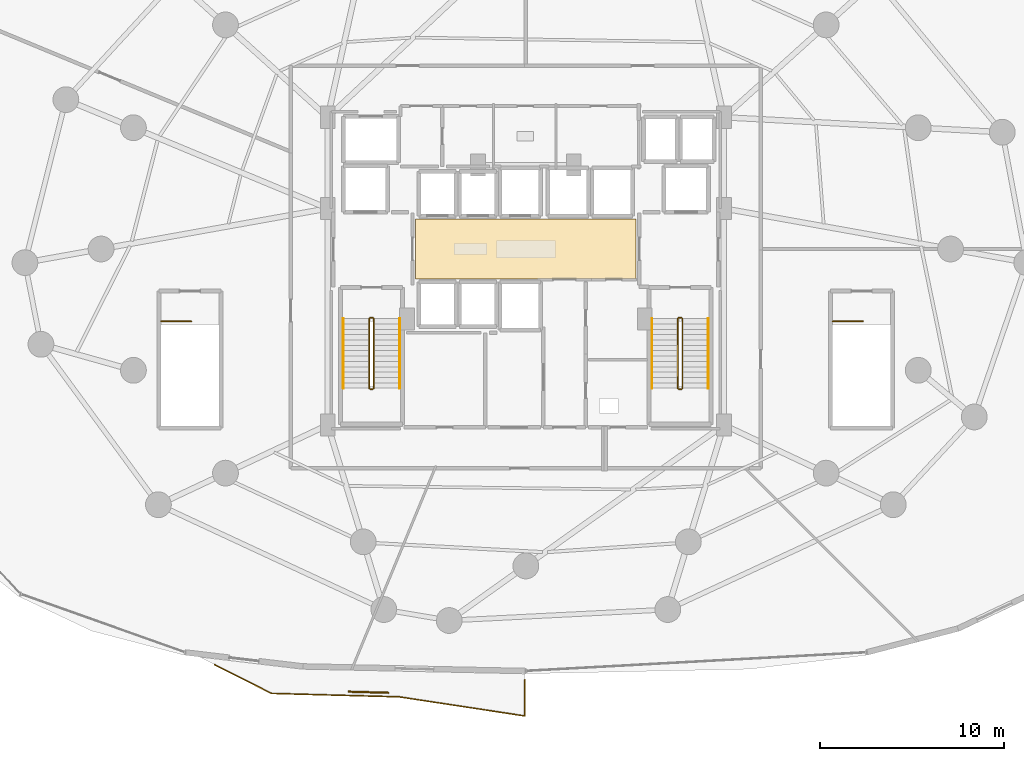
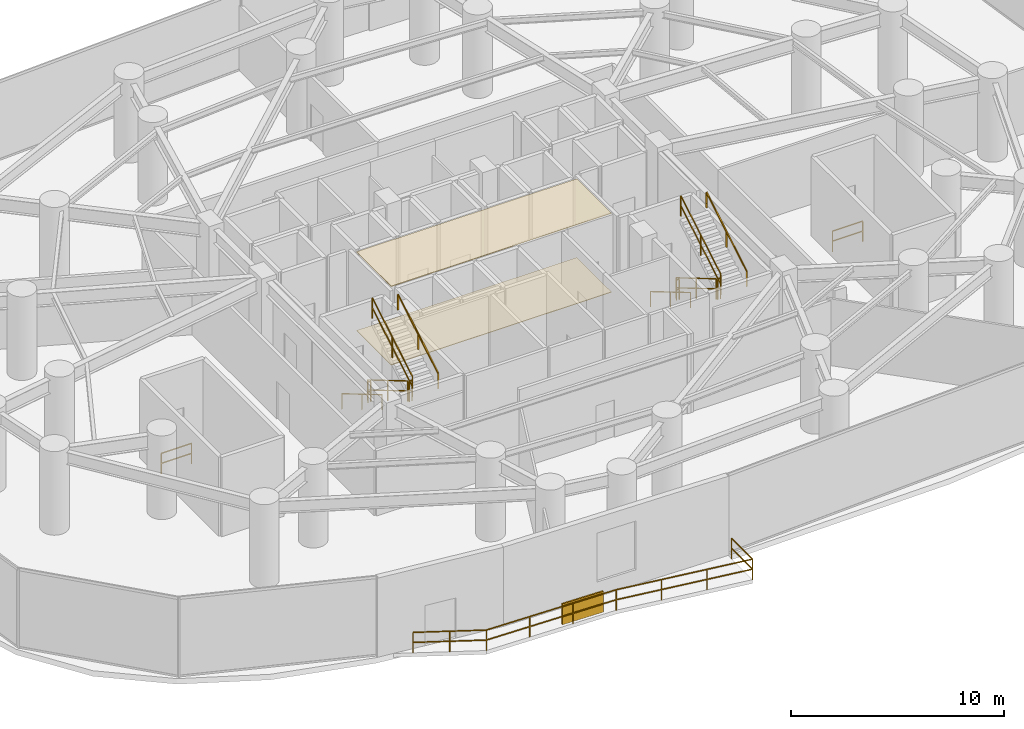
# One storey, part 30 of 32: 16 railings, 2 coverings, 1 shading device.
"""IFC4 building model written with IfcOpenShell, lengths in metres."""

from ifc_helpers import new_model, si_unit, direction, frame, origin, origin_2d, place, context, subcontext, project, spatial, polyline, rectangle, outline, extrude, material, layer, layer_set, type_object, element, save


model = new_model("IFC4")

# Units and contexts
model_context = context("Model", 3, precision=1e-05, world=origin(), true_north=direction((0.0, 1.0)))
body_context = subcontext(model_context, "Body", "Model", "MODEL_VIEW")
ifc_project = project(units=[si_unit("LENGTHUNIT", "METRE"), si_unit("AREAUNIT", "SQUARE_METRE"), si_unit("VOLUMEUNIT", "CUBIC_METRE"), si_unit("PLANEANGLEUNIT", "RADIAN"), si_unit("MASSUNIT", "GRAM", prefix="KILO")], contexts=[model_context])

# Site, building, storey
site_placement = place(None, origin())
site = spatial("IfcSite", under=ifc_project, at=site_placement, CompositionType="ELEMENT")
building_placement = place(site_placement, origin())
building = spatial("IfcBuilding", under=site, at=building_placement, Name="Vorneva Point Tower", CompositionType="ELEMENT")
storey_placement = place(building_placement, frame((0.0, 0.0, 19.199951171875)))
storey = spatial("IfcBuildingStorey", under=building, at=storey_placement, Name="L04", CompositionType="ELEMENT", Elevation=19.199951171875)

# Coverings
ifc_material_1 = material(Name="Perforated acoustic aluminium baffle ceiling", Category="aluminium")
ifc_layer_1 = layer(ifc_material_1, 0.030029296875)
ifc_layer_set_1 = layer_set([ifc_layer_1], Name="Perforated acoustic aluminium baffle ceiling")
covering_type_1 = type_object("IfcCoveringType", Name="COV-CEIL-BAF", PredefinedType="CEILING", material=ifc_layer_set_1)
covering_1_placement = place(storey_placement, frame((0.0, 0.0, 4.510009765625)))
element("IfcCovering", 1, at=covering_1_placement, inside=storey, type_object=covering_type_1, Name="L04 Lift Lobby Acoustic Baffle Ceiling", PredefinedType="CEILING", context=body_context, shape_type="SweptSolid", body=[
    extrude(outline(polyline([(32.02001953125, 24.3701171875), (43.97998046875, 24.3701171875), (43.97998046875, 27.6298828125), (32.02001953125, 27.6298828125), (32.02001953125, 24.3701171875)])), origin(), (0.0, 0.0, 1.0), 0.03515625),
])
ifc_material_2 = material(Name="Polished Ural granite terrazzo", Category="masonry")
ifc_layer_2 = layer(ifc_material_2, 0.02490234375)
ifc_layer_set_2 = layer_set([ifc_layer_2], Name="Polished Ural granite terrazzo")
covering_type_2 = type_object("IfcCoveringType", Name="COV-FLR-TRZ", PredefinedType="FLOORING", material=ifc_layer_set_2)
covering_2_placement = place(storey_placement, frame((0.0, 0.0, -0.0048828125)))
element("IfcCovering", 2, at=covering_2_placement, inside=storey, type_object=covering_type_2, Name="L04 Lift Lobby Floor Finish", PredefinedType="FLOORING", context=body_context, shape_type="SweptSolid", body=[
    extrude(outline(polyline([(32.02001953125, 24.3701171875), (43.97998046875, 24.3701171875), (43.97998046875, 27.6298828125), (32.02001953125, 27.6298828125), (32.02001953125, 24.3701171875)])), origin(), (0.0, 0.0, 1.0), 0.030029296875),
])

# Railings
ifc_material_3 = material(Name="Pale anodised aluminium", Category="aluminium")
railing_type_1 = type_object("IfcRailingType", Name="RL-BAL-1200", PredefinedType="BALUSTRADE", material=ifc_material_3)
railing_1_placement = place(storey_placement, frame((37.949951171875, 0.65771484375, 0.0)))
element("IfcRailing", 3, at=railing_1_placement, inside=storey, type_object=railing_type_1, Name="L04 Wave Balcony Balustrade SW.1", PredefinedType="BALUSTRADE", context=body_context, shape_type="SweptSolid", body=[
    extrude(rectangle(XDim=0.048095703125, YDim=0.048095703125, at=origin_2d()), frame((0.0, 0.0, 1.17578125), z_axis=(0.0, 1.0, 0.0), x_axis=(-1.0, 0.0, 0.0)), (0.0, 0.0, 1.0), 1.974365234375),
    extrude(rectangle(XDim=0.048095703125, YDim=0.048095703125, at=origin_2d()), frame((0.0, 0.0, 0.60009765625), z_axis=(0.0, 1.0, 0.0), x_axis=(-1.0, 0.0, 0.0)), (0.0, 0.0, 1.0), 1.974365234375),
    extrude(rectangle(XDim=0.0419921875, YDim=0.0419921875, at=origin_2d()), origin(), (0.0, 0.0, 1.0), 1.15185546875),
    extrude(rectangle(XDim=0.0419921875, YDim=0.0419921875, at=origin_2d()), frame((0.0, 1.974365234375, 0.0)), (0.0, 0.0, 1.0), 1.15185546875),
])
railing_2_placement = place(storey_placement, frame((21.115478515625, 3.44384765625, 0.0)))
element("IfcRailing", 4, at=railing_2_placement, inside=storey, type_object=railing_type_1, Name="L04 Wave Balcony Balustrade SW.2", PredefinedType="BALUSTRADE", context=body_context, shape_type="SweptSolid", body=[
    extrude(rectangle(XDim=0.048095703125, YDim=0.048095703125, at=origin_2d()), frame((0.0, 0.0, 1.17578125), z_axis=(0.892485857484, -0.451075375287, 0.0), x_axis=(0.451075375287, 0.892485857484, 0.0)), (0.0, 0.0, 1.0), 3.460693359375),
    extrude(rectangle(XDim=0.048095703125, YDim=0.048095703125, at=origin_2d()), frame((0.0, 0.0, 0.60009765625), z_axis=(0.892485857484, -0.451075375287, 0.0), x_axis=(0.451075375287, 0.892485857484, 0.0)), (0.0, 0.0, 1.0), 3.460693359375),
    extrude(rectangle(XDim=0.048095703125, YDim=0.048095703125, at=origin_2d()), frame((3.088623046875, -1.56103515625, 1.17578125), z_axis=(0.999630386072, -0.027186232573, 0.0), x_axis=(0.027186232573, 0.999630386072, 0.0)), (0.0, 0.0, 1.0), 6.94189453125),
    extrude(rectangle(XDim=0.048095703125, YDim=0.048095703125, at=origin_2d()), frame((3.088623046875, -1.56103515625, 0.60009765625), z_axis=(0.999630386072, -0.027186232573, 0.0), x_axis=(0.027186232573, 0.999630386072, 0.0)), (0.0, 0.0, 1.0), 6.94189453125),
    extrude(rectangle(XDim=0.048095703125, YDim=0.048095703125, at=origin_2d()), frame((10.02783203125, -1.749755859375, 1.17578125), z_axis=(0.988606222463, -0.15052487139, 0.0), x_axis=(0.15052487139, 0.988606222463, 0.0)), (0.0, 0.0, 1.0), 6.885009765625),
    extrude(rectangle(XDim=0.048095703125, YDim=0.048095703125, at=origin_2d()), frame((10.02783203125, -1.749755859375, 0.60009765625), z_axis=(0.988606222463, -0.15052487139, 0.0), x_axis=(0.15052487139, 0.988606222463, 0.0)), (0.0, 0.0, 1.0), 6.885009765625),
    extrude(rectangle(XDim=0.0419921875, YDim=0.0419921875, at=origin_2d()), origin(), (0.0, 0.0, 1.0), 1.15185546875),
    extrude(rectangle(XDim=0.0419921875, YDim=0.0419921875, at=origin_2d()), frame((1.54443359375, -0.780517578125, 0.0)), (0.0, 0.0, 1.0), 1.15185546875),
    extrude(rectangle(XDim=0.0419921875, YDim=0.0419921875, at=origin_2d()), frame((3.088623046875, -1.56103515625, 0.0)), (0.0, 0.0, 1.0), 1.15185546875),
    extrude(rectangle(XDim=0.0419921875, YDim=0.0419921875, at=origin_2d()), frame((5.401611328125, -1.6240234375, 0.0)), (0.0, 0.0, 1.0), 1.15185546875),
    extrude(rectangle(XDim=0.0419921875, YDim=0.0419921875, at=origin_2d()), frame((7.71484375, -1.686767578125, 0.0)), (0.0, 0.0, 1.0), 1.15185546875),
    extrude(rectangle(XDim=0.0419921875, YDim=0.0419921875, at=origin_2d()), frame((10.02783203125, -1.749755859375, 0.0)), (0.0, 0.0, 1.0), 1.15185546875),
    extrude(rectangle(XDim=0.0419921875, YDim=0.0419921875, at=origin_2d()), frame((12.296630859375, -2.09521484375, 0.0)), (0.0, 0.0, 1.0), 1.15185546875),
    extrude(rectangle(XDim=0.0419921875, YDim=0.0419921875, at=origin_2d()), frame((14.565673828125, -2.440673828125, 0.0)), (0.0, 0.0, 1.0), 1.15185546875),
    extrude(rectangle(XDim=0.0419921875, YDim=0.0419921875, at=origin_2d()), frame((16.83447265625, -2.7861328125, 0.0)), (0.0, 0.0, 1.0), 1.15185546875),
])
ifc_material_4 = material(Name="Brushed stainless steel S304", Category="steel")
railing_type_2 = type_object("IfcRailingType", Name="RL-HND-920", PredefinedType="HANDRAIL", material=ifc_material_4)
railing_3_placement = place(storey_placement, frame((28.10009765625, 22.219970703125, 0.17138671875)))
element("IfcRailing", 5, at=railing_3_placement, inside=storey, type_object=railing_type_2, Name="L04 ST1 stair handrail 1", PredefinedType="HANDRAIL", context=body_context, shape_type="SweptSolid", body=[
    extrude(rectangle(XDim=0.048095703125, YDim=0.048095703125, at=origin_2d()), frame((0.0, 0.0, 0.8759765625), z_axis=(0.0, -0.860824410104, 0.508902087802), x_axis=(1.0, 0.0, 0.0)), (0.0, 0.0, 1.0), 4.379638671875),
    extrude(rectangle(XDim=0.0419921875, YDim=0.0419921875, at=origin_2d()), origin(), (0.0, 0.0, 1.0), 0.851806640625),
    extrude(rectangle(XDim=0.0419921875, YDim=0.0419921875, at=origin_2d()), frame((0.0, -1.885009765625, 1.1142578125)), (0.0, 0.0, 1.0), 0.851806640625),
    extrude(rectangle(XDim=0.0419921875, YDim=0.0419921875, at=origin_2d()), frame((0.0, -3.77001953125, 2.228759765625)), (0.0, 0.0, 1.0), 0.851806640625),
])
railing_4_placement = place(storey_placement, frame((31.14990234375, 18.449951171875, 2.571533203125)))
element("IfcRailing", 6, at=railing_4_placement, inside=storey, type_object=railing_type_2, Name="L04 ST1 stair handrail 2", PredefinedType="HANDRAIL", context=body_context, shape_type="SweptSolid", body=[
    extrude(rectangle(XDim=0.048095703125, YDim=0.048095703125, at=origin_2d()), frame((0.0, 0.0, 0.8759765625), z_axis=(0.0, 0.860848830602, 0.508860777473), x_axis=(-1.0, 0.0, 0.0)), (0.0, 0.0, 1.0), 4.37939453125),
    extrude(rectangle(XDim=0.0419921875, YDim=0.0419921875, at=origin_2d()), origin(), (0.0, 0.0, 1.0), 0.851806640625),
    extrude(rectangle(XDim=0.0419921875, YDim=0.0419921875, at=origin_2d()), frame((0.0, 1.885009765625, 1.1142578125)), (0.0, 0.0, 1.0), 0.851806640625),
    extrude(rectangle(XDim=0.0419921875, YDim=0.0419921875, at=origin_2d()), frame((0.0, 3.77001953125, 2.228515625)), (0.0, 0.0, 1.0), 0.851806640625),
])
railing_5_placement = place(storey_placement, frame((44.85009765625, 22.219970703125, 0.17138671875)))
element("IfcRailing", 7, at=railing_5_placement, inside=storey, type_object=railing_type_2, Name="L04 ST2 stair handrail 1", PredefinedType="HANDRAIL", context=body_context, shape_type="SweptSolid", body=[
    extrude(rectangle(XDim=0.048095703125, YDim=0.048095703125, at=origin_2d()), frame((0.0, 0.0, 0.8759765625), z_axis=(0.0, -0.860824410104, 0.508902087802), x_axis=(1.0, 0.0, 0.0)), (0.0, 0.0, 1.0), 4.379638671875),
    extrude(rectangle(XDim=0.0419921875, YDim=0.0419921875, at=origin_2d()), origin(), (0.0, 0.0, 1.0), 0.851806640625),
    extrude(rectangle(XDim=0.0419921875, YDim=0.0419921875, at=origin_2d()), frame((0.0, -1.885009765625, 1.1142578125)), (0.0, 0.0, 1.0), 0.851806640625),
    extrude(rectangle(XDim=0.0419921875, YDim=0.0419921875, at=origin_2d()), frame((0.0, -3.77001953125, 2.228759765625)), (0.0, 0.0, 1.0), 0.851806640625),
])
railing_6_placement = place(storey_placement, frame((47.89990234375, 18.449951171875, 2.571533203125)))
element("IfcRailing", 8, at=railing_6_placement, inside=storey, type_object=railing_type_2, Name="L04 ST2 stair handrail 2", PredefinedType="HANDRAIL", context=body_context, shape_type="SweptSolid", body=[
    extrude(rectangle(XDim=0.048095703125, YDim=0.048095703125, at=origin_2d()), frame((0.0, 0.0, 0.8759765625), z_axis=(0.0, 0.860848830602, 0.508860777473), x_axis=(-1.0, 0.0, 0.0)), (0.0, 0.0, 1.0), 4.37939453125),
    extrude(rectangle(XDim=0.0419921875, YDim=0.0419921875, at=origin_2d()), origin(), (0.0, 0.0, 1.0), 0.851806640625),
    extrude(rectangle(XDim=0.0419921875, YDim=0.0419921875, at=origin_2d()), frame((0.0, 1.885009765625, 1.1142578125)), (0.0, 0.0, 1.0), 0.851806640625),
    extrude(rectangle(XDim=0.0419921875, YDim=0.0419921875, at=origin_2d()), frame((0.0, 3.77001953125, 2.228515625)), (0.0, 0.0, 1.0), 0.851806640625),
])
railing_type_3 = type_object("IfcRailingType", Name="RL-STG-1100", PredefinedType="GUARDRAIL", material=ifc_material_4)
railing_7_placement = place(storey_placement, frame((29.5, 22.219970703125, 0.17138671875)))
element("IfcRailing", 9, at=railing_7_placement, inside=storey, type_object=railing_type_3, Name="L04 ST1 stair guard 1", PredefinedType="GUARDRAIL", context=body_context, shape_type="SweptSolid", body=[
    extrude(rectangle(XDim=0.048095703125, YDim=0.048095703125, at=origin_2d()), frame((0.0, 0.0, 1.17578125), z_axis=(0.0, -0.860824410104, 0.508902087802), x_axis=(1.0, 0.0, 0.0)), (0.0, 0.0, 1.0), 4.379638671875),
    extrude(rectangle(XDim=0.048095703125, YDim=0.048095703125, at=origin_2d()), frame((0.0, 0.0, 0.60009765625), z_axis=(0.0, -0.860824410104, 0.508902087802), x_axis=(1.0, 0.0, 0.0)), (0.0, 0.0, 1.0), 4.379638671875),
    extrude(rectangle(XDim=0.0419921875, YDim=0.0419921875, at=origin_2d()), origin(), (0.0, 0.0, 1.0), 1.15185546875),
    extrude(rectangle(XDim=0.0419921875, YDim=0.0419921875, at=origin_2d()), frame((0.0, -1.885009765625, 1.1142578125)), (0.0, 0.0, 1.0), 1.15185546875),
    extrude(rectangle(XDim=0.0419921875, YDim=0.0419921875, at=origin_2d()), frame((0.0, -3.77001953125, 2.228759765625)), (0.0, 0.0, 1.0), 1.15185546875),
])
railing_8_placement = place(storey_placement, frame((29.550048828125, 18.39990234375, 2.400146484375)))
element("IfcRailing", 10, at=railing_8_placement, inside=storey, type_object=railing_type_3, Name="L04 ST1 stair guard 2", PredefinedType="GUARDRAIL", context=body_context, shape_type="SweptSolid", body=[
    extrude(rectangle(XDim=0.048095703125, YDim=0.048095703125, at=origin_2d()), frame((0.0, 0.0, 1.17578125), z_axis=(1.0, 0.0, 0.0), x_axis=(0.0, 1.0, 0.0)), (0.0, 0.0, 1.0), 0.14990234375),
    extrude(rectangle(XDim=0.048095703125, YDim=0.048095703125, at=origin_2d()), frame((0.0, 0.0, 0.60009765625), z_axis=(1.0, 0.0, 0.0), x_axis=(0.0, 1.0, 0.0)), (0.0, 0.0, 1.0), 0.14990234375),
    extrude(rectangle(XDim=0.0419921875, YDim=0.0419921875, at=origin_2d()), origin(), (0.0, 0.0, 1.0), 1.15185546875),
    extrude(rectangle(XDim=0.0419921875, YDim=0.0419921875, at=origin_2d()), frame((0.14990234375, 0.0, 0.0)), (0.0, 0.0, 1.0), 1.15185546875),
])
railing_9_placement = place(storey_placement, frame((29.75, 18.449951171875, 2.571533203125)))
element("IfcRailing", 11, at=railing_9_placement, inside=storey, type_object=railing_type_3, Name="L04 ST1 stair guard 3", PredefinedType="GUARDRAIL", context=body_context, shape_type="SweptSolid", body=[
    extrude(rectangle(XDim=0.048095703125, YDim=0.048095703125, at=origin_2d()), frame((0.0, 0.0, 1.17578125), z_axis=(0.0, 0.860848830602, 0.508860777473), x_axis=(-1.0, 0.0, 0.0)), (0.0, 0.0, 1.0), 4.37939453125),
    extrude(rectangle(XDim=0.048095703125, YDim=0.048095703125, at=origin_2d()), frame((0.0, 0.0, 0.60009765625), z_axis=(0.0, 0.860848830602, 0.508860777473), x_axis=(-1.0, 0.0, 0.0)), (0.0, 0.0, 1.0), 4.37939453125),
    extrude(rectangle(XDim=0.0419921875, YDim=0.0419921875, at=origin_2d()), origin(), (0.0, 0.0, 1.0), 1.15185546875),
    extrude(rectangle(XDim=0.0419921875, YDim=0.0419921875, at=origin_2d()), frame((0.0, 1.885009765625, 1.1142578125)), (0.0, 0.0, 1.0), 1.15185546875),
    extrude(rectangle(XDim=0.0419921875, YDim=0.0419921875, at=origin_2d()), frame((0.0, 3.77001953125, 2.228515625)), (0.0, 0.0, 1.0), 1.15185546875),
])
railing_10_placement = place(storey_placement, frame((29.550048828125, 22.27001953125, 0.0)))
element("IfcRailing", 12, at=railing_10_placement, inside=storey, type_object=railing_type_3, Name="L04 ST1 stair guard 4", PredefinedType="GUARDRAIL", context=body_context, shape_type="SweptSolid", body=[
    extrude(rectangle(XDim=0.048095703125, YDim=0.048095703125, at=origin_2d()), frame((0.0, 0.0, 1.17578125), z_axis=(1.0, 0.0, 0.0), x_axis=(0.0, 1.0, 0.0)), (0.0, 0.0, 1.0), 0.14990234375),
    extrude(rectangle(XDim=0.048095703125, YDim=0.048095703125, at=origin_2d()), frame((0.0, 0.0, 0.60009765625), z_axis=(1.0, 0.0, 0.0), x_axis=(0.0, 1.0, 0.0)), (0.0, 0.0, 1.0), 0.14990234375),
    extrude(rectangle(XDim=0.0419921875, YDim=0.0419921875, at=origin_2d()), origin(), (0.0, 0.0, 1.0), 1.15185546875),
    extrude(rectangle(XDim=0.0419921875, YDim=0.0419921875, at=origin_2d()), frame((0.14990234375, 0.0, 0.0)), (0.0, 0.0, 1.0), 1.15185546875),
])
railing_11_placement = place(storey_placement, frame((46.25, 22.219970703125, 0.17138671875)))
element("IfcRailing", 13, at=railing_11_placement, inside=storey, type_object=railing_type_3, Name="L04 ST2 stair guard 1", PredefinedType="GUARDRAIL", context=body_context, shape_type="SweptSolid", body=[
    extrude(rectangle(XDim=0.048095703125, YDim=0.048095703125, at=origin_2d()), frame((0.0, 0.0, 1.17578125), z_axis=(0.0, -0.860824410104, 0.508902087802), x_axis=(1.0, 0.0, 0.0)), (0.0, 0.0, 1.0), 4.379638671875),
    extrude(rectangle(XDim=0.048095703125, YDim=0.048095703125, at=origin_2d()), frame((0.0, 0.0, 0.60009765625), z_axis=(0.0, -0.860824410104, 0.508902087802), x_axis=(1.0, 0.0, 0.0)), (0.0, 0.0, 1.0), 4.379638671875),
    extrude(rectangle(XDim=0.0419921875, YDim=0.0419921875, at=origin_2d()), origin(), (0.0, 0.0, 1.0), 1.15185546875),
    extrude(rectangle(XDim=0.0419921875, YDim=0.0419921875, at=origin_2d()), frame((0.0, -1.885009765625, 1.1142578125)), (0.0, 0.0, 1.0), 1.15185546875),
    extrude(rectangle(XDim=0.0419921875, YDim=0.0419921875, at=origin_2d()), frame((0.0, -3.77001953125, 2.228759765625)), (0.0, 0.0, 1.0), 1.15185546875),
])
railing_12_placement = place(storey_placement, frame((46.300048828125, 18.39990234375, 2.400146484375)))
element("IfcRailing", 14, at=railing_12_placement, inside=storey, type_object=railing_type_3, Name="L04 ST2 stair guard 2", PredefinedType="GUARDRAIL", context=body_context, shape_type="SweptSolid", body=[
    extrude(rectangle(XDim=0.048095703125, YDim=0.048095703125, at=origin_2d()), frame((0.0, 0.0, 1.17578125), z_axis=(1.0, 0.0, 0.0), x_axis=(0.0, 1.0, 0.0)), (0.0, 0.0, 1.0), 0.14990234375),
    extrude(rectangle(XDim=0.048095703125, YDim=0.048095703125, at=origin_2d()), frame((0.0, 0.0, 0.60009765625), z_axis=(1.0, 0.0, 0.0), x_axis=(0.0, 1.0, 0.0)), (0.0, 0.0, 1.0), 0.14990234375),
    extrude(rectangle(XDim=0.0419921875, YDim=0.0419921875, at=origin_2d()), origin(), (0.0, 0.0, 1.0), 1.15185546875),
    extrude(rectangle(XDim=0.0419921875, YDim=0.0419921875, at=origin_2d()), frame((0.14990234375, 0.0, 0.0)), (0.0, 0.0, 1.0), 1.15185546875),
])
railing_13_placement = place(storey_placement, frame((46.5, 18.449951171875, 2.571533203125)))
element("IfcRailing", 15, at=railing_13_placement, inside=storey, type_object=railing_type_3, Name="L04 ST2 stair guard 3", PredefinedType="GUARDRAIL", context=body_context, shape_type="SweptSolid", body=[
    extrude(rectangle(XDim=0.048095703125, YDim=0.048095703125, at=origin_2d()), frame((0.0, 0.0, 1.17578125), z_axis=(0.0, 0.860848830602, 0.508860777473), x_axis=(-1.0, 0.0, 0.0)), (0.0, 0.0, 1.0), 4.37939453125),
    extrude(rectangle(XDim=0.048095703125, YDim=0.048095703125, at=origin_2d()), frame((0.0, 0.0, 0.60009765625), z_axis=(0.0, 0.860848830602, 0.508860777473), x_axis=(-1.0, 0.0, 0.0)), (0.0, 0.0, 1.0), 4.37939453125),
    extrude(rectangle(XDim=0.0419921875, YDim=0.0419921875, at=origin_2d()), origin(), (0.0, 0.0, 1.0), 1.15185546875),
    extrude(rectangle(XDim=0.0419921875, YDim=0.0419921875, at=origin_2d()), frame((0.0, 1.885009765625, 1.1142578125)), (0.0, 0.0, 1.0), 1.15185546875),
    extrude(rectangle(XDim=0.0419921875, YDim=0.0419921875, at=origin_2d()), frame((0.0, 3.77001953125, 2.228515625)), (0.0, 0.0, 1.0), 1.15185546875),
])
railing_14_placement = place(storey_placement, frame((46.300048828125, 22.27001953125, 0.0)))
element("IfcRailing", 16, at=railing_14_placement, inside=storey, type_object=railing_type_3, Name="L04 ST2 stair guard 4", PredefinedType="GUARDRAIL", context=body_context, shape_type="SweptSolid", body=[
    extrude(rectangle(XDim=0.048095703125, YDim=0.048095703125, at=origin_2d()), frame((0.0, 0.0, 1.17578125), z_axis=(1.0, 0.0, 0.0), x_axis=(0.0, 1.0, 0.0)), (0.0, 0.0, 1.0), 0.14990234375),
    extrude(rectangle(XDim=0.048095703125, YDim=0.048095703125, at=origin_2d()), frame((0.0, 0.0, 0.60009765625), z_axis=(1.0, 0.0, 0.0), x_axis=(0.0, 1.0, 0.0)), (0.0, 0.0, 1.0), 0.14990234375),
    extrude(rectangle(XDim=0.0419921875, YDim=0.0419921875, at=origin_2d()), origin(), (0.0, 0.0, 1.0), 1.15185546875),
    extrude(rectangle(XDim=0.0419921875, YDim=0.0419921875, at=origin_2d()), frame((0.14990234375, 0.0, 0.0)), (0.0, 0.0, 1.0), 1.15185546875),
])
for number, where, name in (
    (17, (18.199951171875, 22.070068359375, 0.0), "L04 ST3 top well guard 1"),
    (18, (54.64990234375, 22.070068359375, 0.0), "L04 ST4 top well guard 1"),
):
    element("IfcRailing", number, at=place(storey_placement, frame(where)), inside=storey, type_object=railing_type_3, Name=name, PredefinedType="GUARDRAIL", context=body_context, shape_type="SweptSolid", body=[
        extrude(rectangle(XDim=0.048095703125, YDim=0.048095703125, at=origin_2d()), frame((0.0, 0.0, 1.17578125), z_axis=(1.0, 0.0, 0.0), x_axis=(0.0, 1.0, 0.0)), (0.0, 0.0, 1.0), 1.650146484375),
        extrude(rectangle(XDim=0.048095703125, YDim=0.048095703125, at=origin_2d()), frame((0.0, 0.0, 0.60009765625), z_axis=(1.0, 0.0, 0.0), x_axis=(0.0, 1.0, 0.0)), (0.0, 0.0, 1.0), 1.650146484375),
        extrude(rectangle(XDim=0.0419921875, YDim=0.0419921875, at=origin_2d()), origin(), (0.0, 0.0, 1.0), 1.15185546875),
        extrude(rectangle(XDim=0.0419921875, YDim=0.0419921875, at=origin_2d()), frame((1.650146484375, 0.0, 0.0)), (0.0, 0.0, 1.0), 1.15185546875),
    ])

# Shading device
shading_device_type = type_object("IfcShadingDeviceType", Name="SHD-JAL-1200", PredefinedType="JALOUSIE", material=ifc_material_3)
shading_device_placement = place(storey_placement, frame((29.458984375, 1.94921875, -0.02001953125), z_axis=(0.0, 0.0, 1.0), x_axis=(0.999629839413, -0.027206325638, 0.0)))
element("IfcShadingDevice", 19, at=shading_device_placement, inside=storey, type_object=shading_device_type, Name="L04 Balcony Vertical-Greenery Planter Screen SW.2", PredefinedType="JALOUSIE", context=body_context, shape_type="SweptSolid", body=[
    extrude(rectangle(XDim=2.199951171875, YDim=0.080078125, at=origin_2d()), origin(), (0.0, 0.0, 1.0), 1.199951171875),
])

save(model, "model.ifc")
